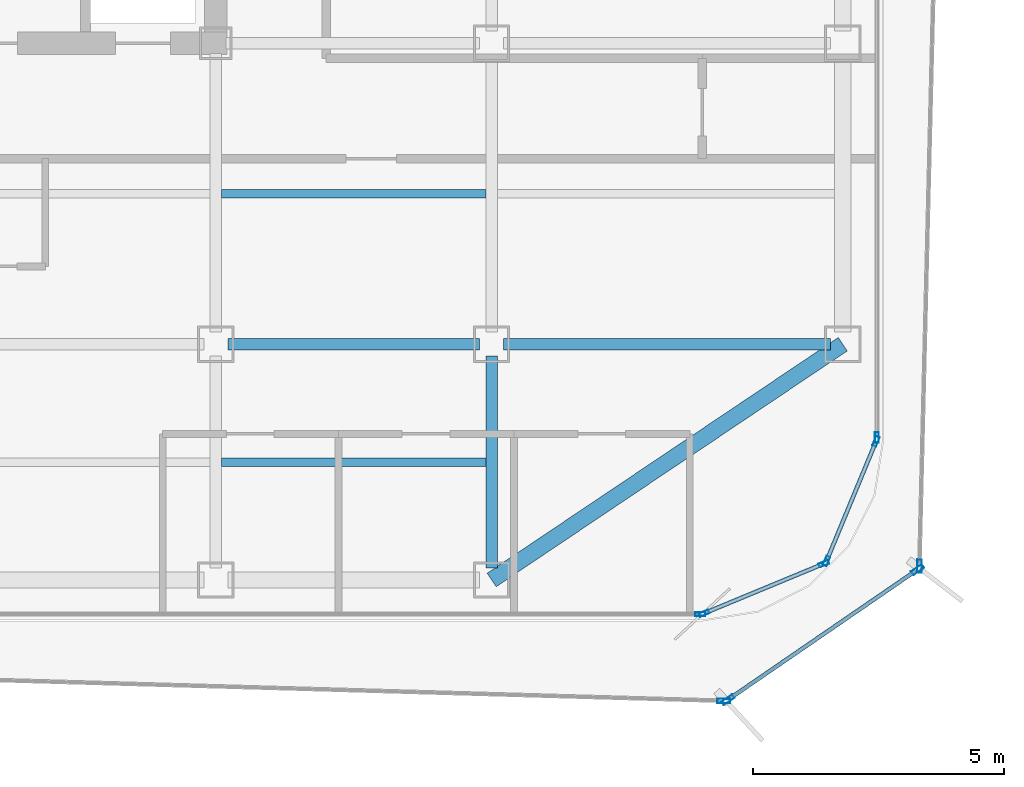
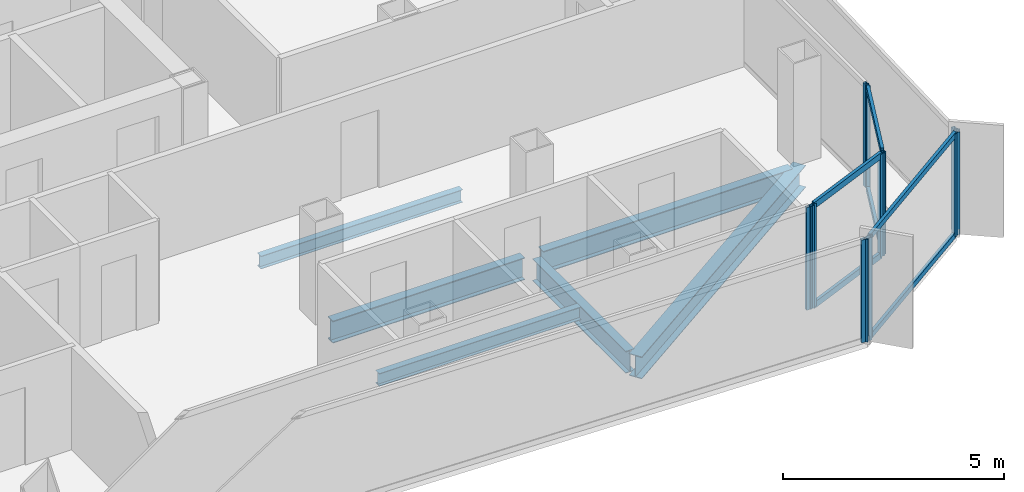
# One storey, part 4 of 15: 16 members, 6 beams, 7 elements without a shape of their own.
"""IFC4 building model written with IfcOpenShell, lengths in metres."""

from ifc_helpers import new_model, si_unit, direction, frame, origin, origin_2d, place, context, subcontext, project, spatial, hollow_rectangle, i_section, extrude, source, transform, mapped, material, layer, layer_set, material_profile, profile_set, type_object, element, aggregate, save


model = new_model("IFC4")

# Units and contexts
model_context = context("Model", 3, precision=1e-05, world=origin(), true_north=direction((0.0, 1.0)))
body_context = subcontext(model_context, "Body", "Model", "MODEL_VIEW")
ifc_project = project(units=[si_unit("LENGTHUNIT", "METRE"), si_unit("AREAUNIT", "SQUARE_METRE"), si_unit("VOLUMEUNIT", "CUBIC_METRE"), si_unit("PLANEANGLEUNIT", "RADIAN"), si_unit("MASSUNIT", "GRAM", prefix="KILO")], contexts=[model_context])

# Site, building, storey
site_placement = place(None, origin())
site = spatial("IfcSite", under=ifc_project, at=site_placement, CompositionType="ELEMENT")
building_placement = place(site_placement, origin())
building = spatial("IfcBuilding", under=site, at=building_placement, Name="Kolveth Station Tower", CompositionType="ELEMENT")
storey_placement = place(building_placement, frame((0.0, 0.0, 184.89990234375)))
storey = spatial("IfcBuildingStorey", under=building, at=storey_placement, Name="L52", CompositionType="ELEMENT", Elevation=184.89990234375)

# Beams
ifc_material_1 = material(Name="Steel S355", Category="steel")
ifc_material_profile_1 = material_profile(ifc_material_1, i_section(OverallWidth=0.323974609375, OverallDepth=0.611083984375, WebThickness=0.0126953125, FlangeThickness=0.01904296875, at=origin_2d()), Name="W610x155")
ifc_profile_set_1 = profile_set([ifc_material_profile_1], Name="Steel S355")
beam_type_1 = type_object("IfcBeamType", Name="Beam_SP2", PredefinedType="SPANDREL", material=ifc_profile_set_1)
shared_shape_1 = source(origin(), body_context, "Body", "SweptSolid", [
    extrude(i_section(OverallWidth=0.323974609375, OverallDepth=0.611083984375, WebThickness=0.0126953125, FlangeThickness=0.01904296875, at=origin_2d()), origin(), (0.0, 0.0, 1.0), 8.431396484375),
])
beam_1_placement = place(storey_placement, frame((34.0, 0.800048828125, -0.555419921875), z_axis=(0.830223811004, 0.557430196206, 0.0), x_axis=(-0.557430196206, 0.830223811004, 0.0)))
element("IfcBeam", 1, at=beam_1_placement, inside=storey, type_object=beam_type_1, Name="L52 Corner Edge Girder BM-L52-CNR-SE", PredefinedType="SPANDREL", context=body_context, shape_type="MappedRepresentation", body=[
    mapped(shared_shape_1, transform((0.0, 0.0, 0.0), x_axis=(1.0, 0.0, 0.0), y_axis=(0.0, 1.0, 0.0), z_axis=(0.0, 0.0, 1.0), scale=1.0)),
])
ifc_material_profile_2 = material_profile(ifc_material_1, i_section(OverallWidth=0.22900390625, OverallDepth=0.612060546875, WebThickness=0.011962890625, FlangeThickness=0.01953125, at=origin_2d()), Name="W610x125")
ifc_profile_set_2 = profile_set([ifc_material_profile_2], Name="Steel S355")
beam_type_2 = type_object("IfcBeamType", Name="Beam_B5", PredefinedType="BEAM", material=ifc_profile_set_2)
shared_shape_2 = source(origin(), body_context, "Body", "SweptSolid", [
    extrude(i_section(OverallWidth=0.22900390625, OverallDepth=0.612060546875, WebThickness=0.011962890625, FlangeThickness=0.01953125, at=origin_2d()), origin(), (0.0, 0.0, 1.0), 6.52001953125),
])
beam_2_placement = place(storey_placement, frame((34.239990234375, 5.5, -0.555908203125), z_axis=(1.0, 0.0, 0.0), x_axis=(0.0, 1.0, 0.0)))
element("IfcBeam", 2, at=beam_2_placement, inside=storey, type_object=beam_type_2, Name="L52 Primary Girder BM-L52-GY55-6", PredefinedType="BEAM", context=body_context, shape_type="MappedRepresentation", body=[
    mapped(shared_shape_2, transform((0.0, 0.0, 0.0), x_axis=(1.0, 0.0, 0.0), y_axis=(0.0, 1.0, 0.0), z_axis=(0.0, 0.0, 1.0), scale=1.0)),
])
shared_shape_3 = source(origin(), body_context, "Body", "SweptSolid", [
    extrude(i_section(OverallWidth=0.22900390625, OverallDepth=0.612060546875, WebThickness=0.011962890625, FlangeThickness=0.01953125, at=origin_2d()), origin(), (0.0, 0.0, 1.0), 5.02001953125),
])
beam_3_placement = place(storey_placement, frame((28.739990234375, 5.5, -0.555908203125), z_axis=(1.0, 0.0, 0.0), x_axis=(0.0, 1.0, 0.0)))
element("IfcBeam", 3, at=beam_3_placement, inside=storey, type_object=beam_type_2, Name="L52 Primary Girder BM-L52-GY55-5", PredefinedType="BEAM", context=body_context, shape_type="MappedRepresentation", body=[
    mapped(shared_shape_3, transform((0.0, 0.0, 0.0), x_axis=(1.0, 0.0, 0.0), y_axis=(0.0, 1.0, 0.0), z_axis=(0.0, 0.0, 1.0), scale=1.0)),
])
shared_shape_4 = source(origin(), body_context, "Body", "SweptSolid", [
    extrude(i_section(OverallWidth=0.22900390625, OverallDepth=0.612060546875, WebThickness=0.011962890625, FlangeThickness=0.01953125, at=origin_2d()), origin(), (0.0, 0.0, 1.0), 4.219970703125),
])
beam_4_placement = place(storey_placement, frame((34.0, 1.0400390625, -0.555908203125), z_axis=(0.0, 1.0, 0.0), x_axis=(-1.0, 0.0, 0.0)))
element("IfcBeam", 4, at=beam_4_placement, inside=storey, type_object=beam_type_2, Name="L52 Primary Girder BM-L52-GX340-1", PredefinedType="BEAM", context=body_context, shape_type="MappedRepresentation", body=[
    mapped(shared_shape_4, transform((0.0, 0.0, 0.0), x_axis=(1.0, 0.0, 0.0), y_axis=(0.0, 1.0, 0.0), z_axis=(0.0, 0.0, 1.0), scale=1.0)),
])
ifc_material_profile_3 = material_profile(ifc_material_1, i_section(OverallWidth=0.1708984375, OverallDepth=0.35205078125, WebThickness=0.0068359375, FlangeThickness=0.009765625, at=origin_2d()), Name="W360x44")
ifc_profile_set_3 = profile_set([ifc_material_profile_3], Name="Steel S355")
beam_type_3 = type_object("IfcBeamType", Name="Beam_J2", PredefinedType="JOIST", material=ifc_profile_set_3)
shared_shape_5 = source(origin(), body_context, "Body", "SweptSolid", [
    extrude(i_section(OverallWidth=0.1708984375, OverallDepth=0.35205078125, WebThickness=0.0068359375, FlangeThickness=0.009765625, at=origin_2d()), origin(), (0.0, 0.0, 1.0), 5.27490234375),
])
for number, where, z_axis, x_axis, name in (
    (5, (28.612548828125, 3.14990234375, -0.42578125), (1.0, 0.0, 0.0), (0.0, 1.0, 0.0), "L52 Secondary Joist JST-L52-5-1"),
    (6, (28.612548828125, 8.5, -0.42578125), (1.0, 0.0, 0.0), (0.0, 1.0, 0.0), "L52 Secondary Joist JST-L52-5-2"),
):
    element("IfcBeam", number, at=place(storey_placement, frame(where, z_axis=z_axis, x_axis=x_axis)), inside=storey, type_object=beam_type_3, Name=name, PredefinedType="JOIST", context=body_context, shape_type="MappedRepresentation", body=[
        mapped(shared_shape_5, transform((0.0, 0.0, 0.0), x_axis=(1.0, 0.0, 0.0), y_axis=(0.0, 1.0, 0.0), z_axis=(0.0, 0.0, 1.0), scale=1.0)),
    ])

# Curtain wall, members
ifc_material_2 = material(Name="Aluminium 6063-T6 and low-E dark glass", Category="aluminium")
ifc_layer_1 = layer(ifc_material_2, 0.18994140625)
ifc_layer_set_1 = layer_set([ifc_layer_1], Name="Aluminium 6063-T6 and low-E dark glass")
curtain_wall_type_1 = type_object("IfcCurtainWallType", Name="CurtainWall_CW-Z2", PredefinedType="NOTDEFINED", material=ifc_layer_set_1)
curtain_wall_1_placement = place(storey_placement, origin())
curtain_wall_1 = element("IfcCurtainWall", 7, at=curtain_wall_1_placement, inside=storey, type_object=curtain_wall_type_1, Name="L52 Inner Thermal Curtain Wall 1", PredefinedType="NOTDEFINED")
ifc_material_3 = material(Name="Black anodized aluminium 6063-T6", Category="aluminium")
ifc_material_profile_4 = material_profile(ifc_material_3, hollow_rectangle(XDim=0.080078125, YDim=0.199951171875, WallThickness=0.0048828125, at=origin_2d()), Name="ALU-80x200x5")
ifc_profile_set_4 = profile_set([ifc_material_profile_4], Name="Black anodized aluminium 6063-T6")
member_type_1 = type_object("IfcMemberType", Name="Mullion_ML2", PredefinedType="MULLION", material=ifc_profile_set_4)
shared_shape_6 = source(origin(), body_context, "Body", "SweptSolid", [
    extrude(hollow_rectangle(XDim=0.080078125, YDim=0.199951171875, WallThickness=0.0048828125, at=origin_2d()), origin(), (0.0, 0.0, 1.0), 2.840087890625),
])
member_1_placement = place(storey_placement, frame((38.237060546875, 0.13525390625, 0.0), z_axis=(0.0, 0.0, 1.0), x_axis=(-0.382697753087, 0.923873600544, 0.0)))
member_1 = element("IfcMember", 8, at=member_1_placement, type_object=member_type_1, Name="CW-Z2 mullion 1", PredefinedType="MULLION", context=body_context, shape_type="MappedRepresentation", body=[
    mapped(shared_shape_6, transform((0.0, 0.0, 0.0), x_axis=(1.0, 0.0, 0.0), y_axis=(0.0, 1.0, 0.0), z_axis=(0.0, 0.0, 1.0), scale=1.0)),
])
member_2_placement = place(storey_placement, frame((40.623779296875, 1.1240234375, 0.0), z_axis=(0.0, 0.0, 1.0), x_axis=(-0.382697753087, 0.923873600544, 0.0)))
member_2 = element("IfcMember", 9, at=member_2_placement, type_object=member_type_1, Name="CW-Z2 mullion 2", PredefinedType="MULLION", context=body_context, shape_type="MappedRepresentation", body=[
    mapped(shared_shape_6, transform((0.0, 0.0, 0.0), x_axis=(1.0, 0.0, 0.0), y_axis=(0.0, 1.0, 0.0), z_axis=(0.0, 0.0, 1.0), scale=1.0)),
])

curtain_wall_2_placement = place(storey_placement, origin())
curtain_wall_2 = element("IfcCurtainWall", 10, at=curtain_wall_2_placement, inside=storey, type_object=curtain_wall_type_1, Name="L52 Inner Thermal Curtain Wall 2", PredefinedType="NOTDEFINED")
member_3_placement = place(storey_placement, frame((40.676025390625, 1.17626953125, 0.0), z_axis=(0.0, 0.0, 1.0), x_axis=(-0.923873600544, 0.382697753087, 0.0)))
member_3 = element("IfcMember", 11, at=member_3_placement, type_object=member_type_1, Name="CW-Z2 mullion 1", PredefinedType="MULLION", context=body_context, shape_type="MappedRepresentation", body=[
    mapped(shared_shape_6, transform((0.0, 0.0, 0.0), x_axis=(1.0, 0.0, 0.0), y_axis=(0.0, 1.0, 0.0), z_axis=(0.0, 0.0, 1.0), scale=1.0)),
])
member_4_placement = place(storey_placement, frame((41.664794921875, 3.56298828125, 0.0), z_axis=(0.0, 0.0, 1.0), x_axis=(-0.923873600544, 0.382697753087, 0.0)))
member_4 = element("IfcMember", 12, at=member_4_placement, type_object=member_type_1, Name="CW-Z2 mullion 2", PredefinedType="MULLION", context=body_context, shape_type="MappedRepresentation", body=[
    mapped(shared_shape_6, transform((0.0, 0.0, 0.0), x_axis=(1.0, 0.0, 0.0), y_axis=(0.0, 1.0, 0.0), z_axis=(0.0, 0.0, 1.0), scale=1.0)),
])

# Curtain wall, member
curtain_wall_3_placement = place(storey_placement, origin())
curtain_wall_3 = element("IfcCurtainWall", 13, at=curtain_wall_3_placement, inside=storey, type_object=curtain_wall_type_1, Name="L52 Inner Thermal Curtain Wall 3", PredefinedType="NOTDEFINED")
member_5_placement = place(storey_placement, frame((41.679931640625, 3.639892578125, 0.0), z_axis=(0.0, 0.0, 1.0), x_axis=(-1.0, 0.0, 0.0)))
member_5 = element("IfcMember", 14, at=member_5_placement, type_object=member_type_1, Name="CW-Z2 mullion 1", PredefinedType="MULLION", context=body_context, shape_type="MappedRepresentation", body=[
    mapped(shared_shape_6, transform((0.0, 0.0, 0.0), x_axis=(1.0, 0.0, 0.0), y_axis=(0.0, 1.0, 0.0), z_axis=(0.0, 0.0, 1.0), scale=1.0)),
])
aggregate(curtain_wall_3, [member_5])

curtain_wall_4_placement = place(storey_placement, origin())
curtain_wall_4 = element("IfcCurtainWall", 15, at=curtain_wall_4_placement, inside=storey, type_object=curtain_wall_type_1, Name="L52 Inner Thermal Curtain Wall 12", PredefinedType="NOTDEFINED")
member_6_placement = place(storey_placement, frame((38.159912109375, 0.1201171875, 0.0), z_axis=(0.0, 0.0, 1.0), x_axis=(0.0, 1.0, 0.0)))
member_6 = element("IfcMember", 16, at=member_6_placement, type_object=member_type_1, Name="CW-Z2 mullion 2", PredefinedType="MULLION", context=body_context, shape_type="MappedRepresentation", body=[
    mapped(shared_shape_6, transform((0.0, 0.0, 0.0), x_axis=(1.0, 0.0, 0.0), y_axis=(0.0, 1.0, 0.0), z_axis=(0.0, 0.0, 1.0), scale=1.0)),
])
aggregate(curtain_wall_4, [member_6])

# Curtain wall, members
ifc_material_4 = material(Name="Black anodized aluminium 6063-T6 and dark solar glass", Category="aluminium")
ifc_layer_2 = layer(ifc_material_4, 0.159912109375)
ifc_layer_set_2 = layer_set([ifc_layer_2], Name="Black anodized aluminium 6063-T6 and dark solar glass")
curtain_wall_type_2 = type_object("IfcCurtainWallType", Name="OUTER SKIN CW-OS", PredefinedType="NOTDEFINED", material=ifc_layer_set_2)
curtain_wall_5_placement = place(storey_placement, origin())
curtain_wall_5 = element("IfcCurtainWall", 17, at=curtain_wall_5_placement, inside=storey, type_object=curtain_wall_type_2, Name="L52 Outer Ventilated Skin Curtain Wall 1", PredefinedType="NOTDEFINED")
ifc_material_profile_5 = material_profile(ifc_material_3, hollow_rectangle(XDim=0.090087890625, YDim=0.260009765625, WallThickness=0.0048828125, at=origin_2d()), Name="ALU-90x260x5")
ifc_profile_set_5 = profile_set([ifc_material_profile_5], Name="Black anodized aluminium 6063-T6")
member_type_2 = type_object("IfcMemberType", Name="FIN MULLION ML-OS", PredefinedType="MULLION", material=ifc_profile_set_5)
shared_shape_7 = source(origin(), body_context, "Body", "SweptSolid", [
    extrude(hollow_rectangle(XDim=0.090087890625, YDim=0.260009765625, WallThickness=0.0048828125, at=origin_2d()), origin(), (0.0, 0.0, 1.0), 2.840087890625),
])
member_7_placement = place(storey_placement, frame((38.711181640625, -1.588623046875, 0.0), z_axis=(0.0, 0.0, 1.0), x_axis=(-0.565827104759, 0.824523915675, 0.0)))
member_7 = element("IfcMember", 18, at=member_7_placement, type_object=member_type_2, Name="CW-OS mullion 1", PredefinedType="MULLION", context=body_context, shape_type="MappedRepresentation", body=[
    mapped(shared_shape_7, transform((0.0, 0.0, 0.0), x_axis=(1.0, 0.0, 0.0), y_axis=(0.0, 1.0, 0.0), z_axis=(0.0, 0.0, 1.0), scale=1.0)),
])
member_8_placement = place(storey_placement, frame((42.492919921875, 1.00634765625, 0.0), z_axis=(0.0, 0.0, 1.0), x_axis=(-0.565827104759, 0.824523915675, 0.0)))
member_8 = element("IfcMember", 19, at=member_8_placement, type_object=member_type_2, Name="CW-OS mullion 2", PredefinedType="MULLION", context=body_context, shape_type="MappedRepresentation", body=[
    mapped(shared_shape_7, transform((0.0, 0.0, 0.0), x_axis=(1.0, 0.0, 0.0), y_axis=(0.0, 1.0, 0.0), z_axis=(0.0, 0.0, 1.0), scale=1.0)),
])

# Curtain wall, member
curtain_wall_6_placement = place(storey_placement, origin())
curtain_wall_6 = element("IfcCurtainWall", 20, at=curtain_wall_6_placement, inside=storey, type_object=curtain_wall_type_2, Name="L52 Outer Ventilated Skin Curtain Wall 2", PredefinedType="NOTDEFINED")
member_9_placement = place(storey_placement, frame((42.531005859375, 1.076904296875, 0.0), z_axis=(0.0, 0.0, 1.0), x_axis=(-0.999703247268, 0.024360160134, 0.0)))
member_9 = element("IfcMember", 21, at=member_9_placement, type_object=member_type_2, Name="CW-OS mullion 1", PredefinedType="MULLION", context=body_context, shape_type="MappedRepresentation", body=[
    mapped(shared_shape_7, transform((0.0, 0.0, 0.0), x_axis=(1.0, 0.0, 0.0), y_axis=(0.0, 1.0, 0.0), z_axis=(0.0, 0.0, 1.0), scale=1.0)),
])
aggregate(curtain_wall_6, [member_9])

curtain_wall_7_placement = place(storey_placement, origin())
curtain_wall_7 = element("IfcCurtainWall", 22, at=curtain_wall_7_placement, inside=storey, type_object=curtain_wall_type_2, Name="L52 Outer Ventilated Skin Curtain Wall 8", PredefinedType="NOTDEFINED")
member_10_placement = place(storey_placement, frame((38.629150390625, -1.613037109375, 0.0), z_axis=(0.0, 0.0, 1.0), x_axis=(0.028485287861, 0.999594211856, 0.0)))
member_10 = element("IfcMember", 23, at=member_10_placement, type_object=member_type_2, Name="CW-OS mullion 2", PredefinedType="MULLION", context=body_context, shape_type="MappedRepresentation", body=[
    mapped(shared_shape_7, transform((0.0, 0.0, 0.0), x_axis=(1.0, 0.0, 0.0), y_axis=(0.0, 1.0, 0.0), z_axis=(0.0, 0.0, 1.0), scale=1.0)),
])
aggregate(curtain_wall_7, [member_10])

# Member
ifc_material_profile_6 = material_profile(ifc_material_3, hollow_rectangle(XDim=0.080078125, YDim=0.169921875, WallThickness=0.0048828125, at=origin_2d()), Name="ALU-80x170x5")
ifc_profile_set_6 = profile_set([ifc_material_profile_6], Name="Black anodized aluminium 6063-T6")
member_type_3 = type_object("IfcMemberType", Name="Transom_TR2", PredefinedType="USERDEFINED", material=ifc_profile_set_6)
shared_shape_8 = source(origin(), body_context, "Body", "SweptSolid", [
    extrude(hollow_rectangle(XDim=0.080078125, YDim=0.169921875, WallThickness=0.0048828125, at=origin_2d()), origin(), (0.0, 0.0, 1.0), 2.50341796875),
])
member_11_placement = place(storey_placement, frame((38.27392578125, 0.150634765625, 0.0400390625), z_axis=(0.923874190494, 0.382696328882, 0.0), x_axis=(-0.382696328882, 0.923874190494, 0.0)))
member_11 = element("IfcMember", 24, at=member_11_placement, type_object=member_type_3, Name="CW-Z2 transom 1.1", ObjectType="TRANSOM", PredefinedType="USERDEFINED", context=body_context, shape_type="MappedRepresentation", body=[
    mapped(shared_shape_8, transform((0.0, 0.0, 0.0), x_axis=(1.0, 0.0, 0.0), y_axis=(0.0, 1.0, 0.0), z_axis=(0.0, 0.0, 1.0), scale=1.0)),
])

member_12_placement = place(storey_placement, frame((38.27392578125, 0.150634765625, 2.800048828125), z_axis=(0.923874190494, 0.382696328882, 0.0), x_axis=(-0.382696328882, 0.923874190494, 0.0)))
member_12 = element("IfcMember", 25, at=member_12_placement, type_object=member_type_3, Name="CW-Z2 transom 1.2", ObjectType="TRANSOM", PredefinedType="USERDEFINED", context=body_context, shape_type="MappedRepresentation", body=[
    mapped(shared_shape_8, transform((0.0, 0.0, 0.0), x_axis=(1.0, 0.0, 0.0), y_axis=(0.0, 1.0, 0.0), z_axis=(0.0, 0.0, 1.0), scale=1.0)),
])

aggregate(curtain_wall_1, [member_1, member_2, member_11, member_12])

member_13_placement = place(storey_placement, frame((40.69140625, 1.213134765625, 0.0400390625), z_axis=(0.382661849723, 0.923888472039, 0.0), x_axis=(-0.923888472039, 0.382661849723, 0.0)))
member_13 = element("IfcMember", 26, at=member_13_placement, type_object=member_type_3, Name="CW-Z2 transom 1.1", ObjectType="TRANSOM", PredefinedType="USERDEFINED", context=body_context, shape_type="MappedRepresentation", body=[
    mapped(shared_shape_8, transform((0.0, 0.0, 0.0), x_axis=(1.0, 0.0, 0.0), y_axis=(0.0, 1.0, 0.0), z_axis=(0.0, 0.0, 1.0), scale=1.0)),
])

member_14_placement = place(storey_placement, frame((40.69140625, 1.213134765625, 2.800048828125), z_axis=(0.382661849723, 0.923888472039, 0.0), x_axis=(-0.923888472039, 0.382661849723, 0.0)))
member_14 = element("IfcMember", 27, at=member_14_placement, type_object=member_type_3, Name="CW-Z2 transom 1.2", ObjectType="TRANSOM", PredefinedType="USERDEFINED", context=body_context, shape_type="MappedRepresentation", body=[
    mapped(shared_shape_8, transform((0.0, 0.0, 0.0), x_axis=(1.0, 0.0, 0.0), y_axis=(0.0, 1.0, 0.0), z_axis=(0.0, 0.0, 1.0), scale=1.0)),
])

aggregate(curtain_wall_2, [member_3, member_4, member_13, member_14])

ifc_material_profile_7 = material_profile(ifc_material_3, hollow_rectangle(XDim=0.080078125, YDim=0.14990234375, WallThickness=0.0048828125, at=origin_2d()), Name="ALU-80x150x5")
ifc_profile_set_7 = profile_set([ifc_material_profile_7], Name="Black anodized aluminium 6063-T6")
member_type_4 = type_object("IfcMemberType", Name="Transom_TR-OS", PredefinedType="USERDEFINED", material=ifc_profile_set_7)
shared_shape_9 = source(origin(), body_context, "Body", "SweptSolid", [
    extrude(hollow_rectangle(XDim=0.080078125, YDim=0.14990234375, WallThickness=0.0048828125, at=origin_2d()), origin(), (0.0, 0.0, 1.0), 4.49658203125),
])
member_15_placement = place(storey_placement, frame((38.748291015625, -1.563232421875, 0.0400390625), z_axis=(0.824532723167, 0.565814270257, 0.0), x_axis=(-0.565814270257, 0.824532723167, 0.0)))
member_15 = element("IfcMember", 28, at=member_15_placement, type_object=member_type_4, Name="CW-OS transom 1.1", ObjectType="TRANSOM", PredefinedType="USERDEFINED", context=body_context, shape_type="MappedRepresentation", body=[
    mapped(shared_shape_9, transform((0.0, 0.0, 0.0), x_axis=(1.0, 0.0, 0.0), y_axis=(0.0, 1.0, 0.0), z_axis=(0.0, 0.0, 1.0), scale=1.0)),
])

member_16_placement = place(storey_placement, frame((38.748291015625, -1.563232421875, 2.800048828125), z_axis=(0.824532723167, 0.565814270257, 0.0), x_axis=(-0.565814270257, 0.824532723167, 0.0)))
member_16 = element("IfcMember", 29, at=member_16_placement, type_object=member_type_4, Name="CW-OS transom 1.2", ObjectType="TRANSOM", PredefinedType="USERDEFINED", context=body_context, shape_type="MappedRepresentation", body=[
    mapped(shared_shape_9, transform((0.0, 0.0, 0.0), x_axis=(1.0, 0.0, 0.0), y_axis=(0.0, 1.0, 0.0), z_axis=(0.0, 0.0, 1.0), scale=1.0)),
])

aggregate(curtain_wall_5, [member_7, member_8, member_15, member_16])

save(model, "model.ifc")
